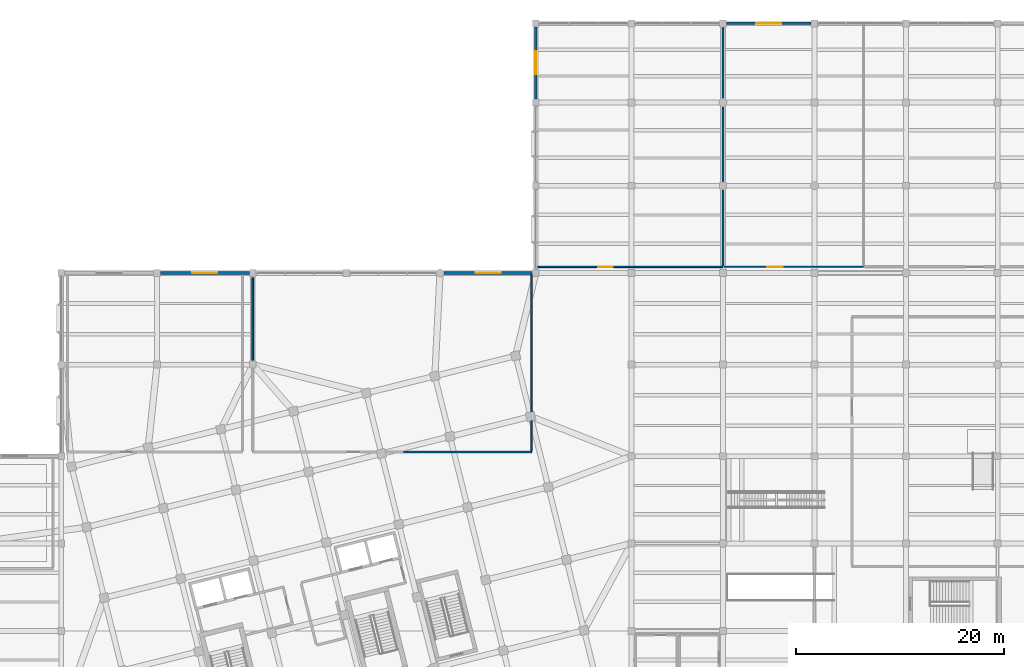
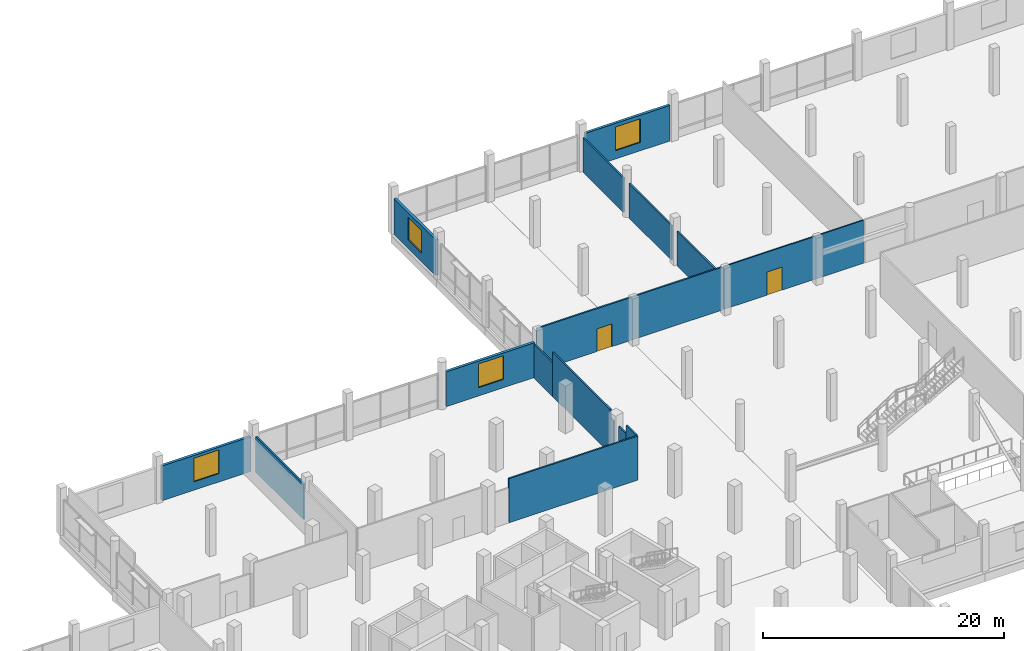
# One storey, part 61 of 71: 16 walls, 4 windows, 2 doors, 6 openings.
"""IFC4 building model written with IfcOpenShell, lengths in metres."""

from ifc_helpers import new_model, si_unit, direction, frame, frame_2d, origin, place, context, subcontext, project, spatial, rectangle, extrude, material, layer, layer_set, type_object, element, fill, save


model = new_model("IFC4")

# Units and contexts
model_context = context("Model", 3, precision=1e-05, world=origin(), true_north=direction((0.0, 1.0)))
body_context = subcontext(model_context, "Body", "Model", "MODEL_VIEW")
ifc_project = project(units=[si_unit("LENGTHUNIT", "METRE"), si_unit("AREAUNIT", "SQUARE_METRE"), si_unit("VOLUMEUNIT", "CUBIC_METRE"), si_unit("PLANEANGLEUNIT", "RADIAN"), si_unit("MASSUNIT", "GRAM", prefix="KILO")], contexts=[model_context])

# Site, building, storey
site_placement = place(None, origin())
site = spatial("IfcSite", under=ifc_project, at=site_placement, CompositionType="ELEMENT")
building_placement = place(site_placement, origin())
building = spatial("IfcBuilding", under=site, at=building_placement, Name="Meriwether Solvik Hall", CompositionType="ELEMENT")
storey_placement = place(building_placement, frame((0.0, 0.0, 5.10009765625)))
storey = spatial("IfcBuildingStorey", under=building, at=storey_placement, Name="L01", CompositionType="ELEMENT", Elevation=5.10009765625)

# Wall, opening, window
ifc_material_1 = material(Name="Terracotta Cladding on Concrete C40/50", Category="masonry")
ifc_layer_1 = layer(ifc_material_1, 0.2548828125)
ifc_layer_set_1 = layer_set([ifc_layer_1], Name="Terracotta Cladding on Concrete C40/50")
wall_type_1 = type_object("IfcWallType", Name="WALL-EXT-255", PredefinedType="SOLIDWALL", material=ifc_layer_set_1)
wall_1_placement = place(storey_placement, frame((68.93701171875, 92.800048828125, 0.0), z_axis=(0.0, 0.0, 1.0), x_axis=(1.0, 0.0, 0.0)))
wall_1 = element("IfcWall", 1, at=wall_1_placement, inside=storey, type_object=wall_type_1, Name="L01 N Wing Facade Wall XK_8_25", PredefinedType="SOLIDWALL", context=body_context, shape_type="SweptSolid", body=[
    extrude(rectangle(XDim=8.52587890625, YDim=0.2548828125, at=frame_2d((4.262939453125, 0.0))), origin(), (0.0, 0.0, 1.0), 3.52001953125),
])
opening_1_placement = place(wall_1_placement, frame((3.06298828125, 0.0, 0.85009765625)))
opening_1 = element("IfcOpeningElement", 2, at=opening_1_placement, cuts=wall_1, Name="Opening WN-105", PredefinedType="OPENING", context=body_context, shape_type="SweptSolid", body=[
    extrude(rectangle(XDim=2.39990234375, YDim=2.39990234375, at=frame_2d((1.199951171875, 1.199951171875))), frame((0.0, 0.139404296875, 0.0), z_axis=(0.0, -1.0, 0.0), x_axis=(1.0, 0.0, 0.0)), (0.0, 0.0, 1.0), 0.27880859375),
])
ifc_material_2 = material(Name="Thermally Broken Anodised Aluminium and Triple Low-E Glass", Category="aluminium")
window_type_1 = type_object("IfcWindowType", Name="WIN-POD-NORTH-240X240", PartitioningType="SINGLE_PANEL", PredefinedType="WINDOW", material=ifc_material_2)
window_1_placement = place(opening_1_placement, origin())
window_1 = element("IfcWindow", 3, at=window_1_placement, inside=storey, type_object=window_type_1, Name="L01 N Window XK_8_25", OverallHeight=2.39990234375, OverallWidth=2.39990234375, PartitioningType="SINGLE_PANEL", PredefinedType="WINDOW", context=body_context, shape_type="SweptSolid", body=[
    extrude(rectangle(XDim=2.39990234375, YDim=2.39990234375, at=frame_2d((1.199951171875, 1.199951171875))), frame((0.0, 0.030029296875, 0.0), z_axis=(0.0, -1.0, 0.0), x_axis=(1.0, 0.0, 0.0)), (0.0, 0.0, 1.0), 0.06005859375),
])
fill(opening_1, window_1)

wall_2_placement = place(storey_placement, frame((96.18701171875, 92.800048828125, 0.0), z_axis=(0.0, 0.0, 1.0), x_axis=(1.0, 0.0, 0.0)))
wall_2 = element("IfcWall", 4, at=wall_2_placement, inside=storey, type_object=wall_type_1, Name="L01 N Wing Facade Wall XK_11_28", PredefinedType="SOLIDWALL", context=body_context, shape_type="SweptSolid", body=[
    extrude(rectangle(XDim=8.47607421875, YDim=0.2548828125, at=frame_2d((4.238037109375, 0.0))), origin(), (0.0, 0.0, 1.0), 3.52001953125),
])
opening_2_placement = place(wall_2_placement, frame((3.0380859375, 0.0, 0.85009765625)))
opening_2 = element("IfcOpeningElement", 5, at=opening_2_placement, cuts=wall_2, Name="Opening WN-105", PredefinedType="OPENING", context=body_context, shape_type="SweptSolid", body=[
    extrude(rectangle(XDim=2.39990234375, YDim=2.39990234375, at=frame_2d((1.199951171875, 1.199951171875))), frame((0.0, 0.139404296875, 0.0), z_axis=(0.0, -1.0, 0.0), x_axis=(1.0, 0.0, 0.0)), (0.0, 0.0, 1.0), 0.27880859375),
])
window_2_placement = place(opening_2_placement, origin())
window_2 = element("IfcWindow", 6, at=window_2_placement, inside=storey, type_object=window_type_1, Name="L01 N Window XK_11_28", OverallHeight=2.39990234375, OverallWidth=2.39990234375, PartitioningType="SINGLE_PANEL", PredefinedType="WINDOW", context=body_context, shape_type="SweptSolid", body=[
    extrude(rectangle(XDim=2.39990234375, YDim=2.39990234375, at=frame_2d((1.199951171875, 1.199951171875))), frame((0.0, 0.030029296875, 0.0), z_axis=(0.0, -1.0, 0.0), x_axis=(1.0, 0.0, 0.0)), (0.0, 0.0, 1.0), 0.06005859375),
])
fill(opening_2, window_2)

wall_3_placement = place(storey_placement, frame((123.3369140625, 116.800048828125, 0.0), z_axis=(0.0, 0.0, 1.0), x_axis=(1.0, 0.0, 0.0)))
wall_3 = element("IfcWall", 7, at=wall_3_placement, inside=storey, type_object=wall_type_1, Name="L01 N Wing Facade Wall XN_14_31", PredefinedType="SOLIDWALL", context=body_context, shape_type="SweptSolid", body=[
    extrude(rectangle(XDim=8.1259765625, YDim=0.2548828125, at=frame_2d((4.06298828125, 0.0))), origin(), (0.0, 0.0, 1.0), 3.60986328125),
])
opening_3_placement = place(wall_3_placement, frame((2.863037109375, 0.0, 0.85009765625)))
opening_3 = element("IfcOpeningElement", 8, at=opening_3_placement, cuts=wall_3, Name="Opening WN-105", PredefinedType="OPENING", context=body_context, shape_type="SweptSolid", body=[
    extrude(rectangle(XDim=2.39990234375, YDim=2.39990234375, at=frame_2d((1.199951171875, 1.199951171875))), frame((0.0, 0.139404296875, 0.0), z_axis=(0.0, -1.0, 0.0), x_axis=(1.0, 0.0, 0.0)), (0.0, 0.0, 1.0), 0.27880859375),
])
window_3_placement = place(opening_3_placement, origin())
window_3 = element("IfcWindow", 9, at=window_3_placement, inside=storey, type_object=window_type_1, Name="L01 N Window XN_14_31", OverallHeight=2.39990234375, OverallWidth=2.39990234375, PartitioningType="SINGLE_PANEL", PredefinedType="WINDOW", context=body_context, shape_type="SweptSolid", body=[
    extrude(rectangle(XDim=2.39990234375, YDim=2.39990234375, at=frame_2d((1.199951171875, 1.199951171875))), frame((0.0, 0.030029296875, 0.0), z_axis=(0.0, -1.0, 0.0), x_axis=(1.0, 0.0, 0.0)), (0.0, 0.0, 1.0), 0.06005859375),
])
fill(opening_3, window_3)

wall_4_placement = place(storey_placement, frame((105.0, 109.537109375, 0.0), z_axis=(0.0, 0.0, 1.0), x_axis=(0.0, 1.0, 0.0)))
wall_4 = element("IfcWall", 10, at=wall_4_placement, inside=storey, type_object=wall_type_1, Name="L01 W Wing Facade Wall Y12_13_48", PredefinedType="SOLIDWALL", context=body_context, shape_type="SweptSolid", body=[
    extrude(rectangle(XDim=6.92578125, YDim=0.2548828125, at=frame_2d((3.462890625, 0.0))), origin(), (0.0, 0.0, 1.0), 3.60986328125),
])
opening_4_placement = place(wall_4_placement, frame((2.363037109375, 0.0, 0.85009765625)))
opening_4 = element("IfcOpeningElement", 11, at=opening_4_placement, cuts=wall_4, Name="Opening WN-175", PredefinedType="OPENING", context=body_context, shape_type="SweptSolid", body=[
    extrude(rectangle(XDim=2.199951171875, YDim=2.300048828125, at=frame_2d((1.10009765625, 1.14990234375))), frame((0.0, 0.139404296875, 0.0), z_axis=(0.0, -1.0, 0.0), x_axis=(1.0, 0.0, 0.0)), (0.0, 0.0, 1.0), 0.27880859375),
])
ifc_material_3 = material(Name="Thermally Broken Anodised Aluminium and Triple Low-E Glass", Category="aluminium")
window_type_2 = type_object("IfcWindowType", Name="WIN-POD-WEST-220X230", PartitioningType="SINGLE_PANEL", PredefinedType="WINDOW", material=ifc_material_3)
window_4_placement = place(opening_4_placement, origin())
window_4 = element("IfcWindow", 12, at=window_4_placement, inside=storey, type_object=window_type_2, Name="L01 W Window Y12_13_48", OverallHeight=2.300048828125, OverallWidth=2.199951171875, PartitioningType="SINGLE_PANEL", PredefinedType="WINDOW", context=body_context, shape_type="SweptSolid", body=[
    extrude(rectangle(XDim=2.199951171875, YDim=2.300048828125, at=frame_2d((1.10009765625, 1.14990234375))), frame((0.0, 0.030029296875, 0.0), z_axis=(0.0, -1.0, 0.0), x_axis=(1.0, 0.0, 0.0)), (0.0, 0.0, 1.0), 0.06005859375),
])
fill(opening_4, window_4)

# Wall, opening, door
ifc_material_4 = material(Name="Gypsum Board Partition", Category="gypsum")
ifc_layer_2 = layer(ifc_material_4, 0.125)
ifc_layer_set_2 = layer_set([ifc_layer_2], Name="Gypsum Board Partition")
wall_type_2 = type_object("IfcWallType", Name="WALL-PART-125", PredefinedType="PARTITIONING", material=ifc_layer_set_2)
wall_5_placement = place(storey_placement, frame((123.1201171875, 93.39990234375, 0.0), z_axis=(0.0, 0.0, 1.0), x_axis=(1.0, 0.0, 0.0)))
wall_5 = element("IfcWall", 13, at=wall_5_placement, inside=storey, type_object=wall_type_2, Name="L01 Interior Partition yth_ment_s", PredefinedType="PARTITIONING", context=body_context, shape_type="SweptSolid", body=[
    extrude(rectangle(XDim=13.3798828125, YDim=0.125, at=frame_2d((6.68994140625, 0.0))), origin(), (0.0, 0.0, 1.0), 4.349853515625),
])
opening_5_placement = place(wall_5_placement, frame((4.153076171875, 0.0, 0.0)))
opening_5 = element("IfcOpeningElement", 14, at=opening_5_placement, cuts=wall_5, Name="Opening D-152", PredefinedType="OPENING", context=body_context, shape_type="SweptSolid", body=[
    extrude(rectangle(XDim=1.449951171875, YDim=2.35009765625, at=frame_2d((0.72509765625, 1.175048828125))), frame((0.0, 0.074462890625, 0.0), z_axis=(0.0, -1.0, 0.0), x_axis=(1.0, 0.0, 0.0)), (0.0, 0.0, 1.0), 0.14892578125),
])
ifc_material_5 = material(Name="Laminated Vision Glass and Solid White Oak Timber", Category="wood")
door_type_1 = type_object("IfcDoorType", Name="DR-CONF-1450", OperationType="DOUBLE_DOOR_SINGLE_SWING", PredefinedType="DOOR", material=ifc_material_5)
door_1_placement = place(opening_5_placement, origin())
door_1 = element("IfcDoor", 15, at=door_1_placement, inside=storey, type_object=door_type_1, Name="Youth Mentorship Office Door", OperationType="DOUBLE_DOOR_SINGLE_SWING", OverallHeight=2.35009765625, OverallWidth=1.449951171875, PredefinedType="DOOR", context=body_context, shape_type="SweptSolid", body=[
    extrude(rectangle(XDim=1.449951171875, YDim=2.35009765625, at=frame_2d((0.72509765625, 1.175048828125))), frame((0.0, 0.02490234375, 0.0), z_axis=(0.0, -1.0, 0.0), x_axis=(1.0, 0.0, 0.0)), (0.0, 0.0, 1.0), 0.050048828125),
])
fill(opening_5, door_1)

# Walls
ifc_material_6 = material(Name="Gypsum Board Partition", Category="gypsum")
ifc_layer_3 = layer(ifc_material_6, 0.14990234375)
ifc_layer_set_3 = layer_set([ifc_layer_3], Name="Gypsum Board Partition")
wall_type_3 = type_object("IfcWallType", Name="WALL-PART-150", PredefinedType="PARTITIONING", material=ifc_layer_set_3)
wall_6_placement = place(storey_placement, frame((92.2685546875, 75.60009765625, 0.0), z_axis=(0.0, 0.0, 1.0), x_axis=(1.0, 0.0, 0.0)))
element("IfcWall", 16, at=wall_6_placement, inside=storey, type_object=wall_type_3, Name="L01 Interior Partition cls_102_s_s3", PredefinedType="PARTITIONING", context=body_context, shape_type="SweptSolid", body=[
    extrude(rectangle(XDim=12.33154296875, YDim=0.14990234375, at=frame_2d((6.165771484375, 0.0))), origin(), (0.0, 0.0, 1.0), 4.469970703125),
])
wall_7_placement = place(storey_placement, frame((104.60009765625, 75.719970703125, 0.0), z_axis=(0.0, 0.0, 1.0), x_axis=(0.0, 1.0, 0.0)))
element("IfcWall", 17, at=wall_7_placement, inside=storey, type_object=wall_type_3, Name="L01 Interior Partition cls_102_e", PredefinedType="PARTITIONING", context=body_context, shape_type="SweptSolid", body=[
    extrude(rectangle(XDim=1.634521484375, YDim=0.14990234375, at=frame_2d((0.8173828125, 0.0))), origin(), (0.0, 0.0, 1.0), 4.469970703125),
])
wall_8_placement = place(storey_placement, frame((104.60009765625, 77.3544921875, 0.0), z_axis=(0.0, 0.0, 1.0), x_axis=(0.0, 1.0, 0.0)))
element("IfcWall", 18, at=wall_8_placement, inside=storey, type_object=wall_type_3, Name="L01 Interior Partition cls_102_e_s2", PredefinedType="PARTITIONING", context=body_context, shape_type="SweptSolid", body=[
    extrude(rectangle(XDim=1.226318359375, YDim=0.14990234375, at=frame_2d((0.61328125, 0.0))), origin(), (0.0, 0.0, 1.0), 3.619873046875),
])
wall_9_placement = place(storey_placement, frame((104.60009765625, 79.44482421875, 0.0), z_axis=(0.0, 0.0, 1.0), x_axis=(0.0, 1.0, 0.0)))
element("IfcWall", 19, at=wall_9_placement, inside=storey, type_object=wall_type_3, Name="L01 Interior Partition cls_102_e_s3", PredefinedType="PARTITIONING", context=body_context, shape_type="SweptSolid", body=[
    extrude(rectangle(XDim=0.578125, YDim=0.14990234375, at=frame_2d((0.2890625, 0.0))), origin(), (0.0, 0.0, 1.0), 3.619873046875),
])
wall_10_placement = place(storey_placement, frame((104.60009765625, 80.02294921875, 0.0), z_axis=(0.0, 0.0, 1.0), x_axis=(0.0, 1.0, 0.0)))
element("IfcWall", 20, at=wall_10_placement, inside=storey, type_object=wall_type_3, Name="L01 Interior Partition cls_102_e_s4", PredefinedType="PARTITIONING", context=body_context, shape_type="SweptSolid", body=[
    extrude(rectangle(XDim=9.546630859375, YDim=0.14990234375, at=frame_2d((4.7734375, 0.0))), origin(), (0.0, 0.0, 1.0), 4.469970703125),
])
wall_11_placement = place(storey_placement, frame((104.60009765625, 89.569580078125, 0.0), z_axis=(0.0, 0.0, 1.0), x_axis=(0.0, 1.0, 0.0)))
element("IfcWall", 21, at=wall_11_placement, inside=storey, type_object=wall_type_3, Name="L01 Interior Partition cls_102_e_s5", PredefinedType="PARTITIONING", context=body_context, shape_type="SweptSolid", body=[
    extrude(rectangle(XDim=3.0498046875, YDim=0.14990234375, at=frame_2d((1.52490234375, 0.0))), origin(), (0.0, 0.0, 1.0), 3.419921875),
])
wall_12_placement = place(storey_placement, frame((77.800048828125, 92.360107421875, 0.0), z_axis=(0.0, 0.0, 1.0), x_axis=(0.0, -1.0, 0.0)))
element("IfcWall", 22, at=wall_12_placement, inside=storey, type_object=wall_type_3, Name="L01 Interior Partition cls_102_w", PredefinedType="PARTITIONING", context=body_context, shape_type="SweptSolid", body=[
    extrude(rectangle(XDim=7.920166015625, YDim=0.14990234375, at=frame_2d((3.9599609375, 0.0))), origin(), (0.0, 0.0, 1.0), 3.619873046875),
])

# Wall, opening, door
wall_13_placement = place(storey_placement, frame((105.199951171875, 93.39990234375, 0.0), z_axis=(0.0, 0.0, 1.0), x_axis=(1.0, 0.0, 0.0)))
wall_13 = element("IfcWall", 23, at=wall_13_placement, inside=storey, type_object=wall_type_3, Name="L01 Interior Partition yth_1_s", PredefinedType="PARTITIONING", context=body_context, shape_type="SweptSolid", body=[
    extrude(rectangle(XDim=17.800048828125, YDim=0.14990234375, at=frame_2d((8.89990234375, 0.0))), origin(), (0.0, 0.0, 1.0), 4.349853515625),
])
opening_6_placement = place(wall_13_placement, frame((5.795654296875, 0.0, 0.0)))
opening_6 = element("IfcOpeningElement", 24, at=opening_6_placement, cuts=wall_13, Name="Opening D-118", PredefinedType="OPENING", context=body_context, shape_type="SweptSolid", body=[
    extrude(rectangle(XDim=1.39990234375, YDim=2.300048828125, at=frame_2d((0.699951171875, 1.14990234375))), frame((0.0, 0.0869140625, 0.0), z_axis=(0.0, -1.0, 0.0), x_axis=(1.0, 0.0, 0.0)), (0.0, 0.0, 1.0), 0.173828125),
])
ifc_material_7 = material(Name="Solid-Core Rift White Oak Timber", Category="wood")
door_type_2 = type_object("IfcDoorType", Name="DR-YTH-1400", OperationType="DOUBLE_DOOR_SINGLE_SWING", PredefinedType="DOOR", material=ifc_material_7)
door_2_placement = place(opening_6_placement, origin())
door_2 = element("IfcDoor", 25, at=door_2_placement, inside=storey, type_object=door_type_2, Name="Youth Room North Door", OperationType="DOUBLE_DOOR_SINGLE_SWING", OverallHeight=2.300048828125, OverallWidth=1.39990234375, PredefinedType="DOOR", context=body_context, shape_type="SweptSolid", body=[
    extrude(rectangle(XDim=1.39990234375, YDim=2.300048828125, at=frame_2d((0.699951171875, 1.14990234375))), frame((0.0, 0.02490234375, 0.0), z_axis=(0.0, -1.0, 0.0), x_axis=(1.0, 0.0, 0.0)), (0.0, 0.0, 1.0), 0.050048828125),
])
fill(opening_6, door_2)

# Walls
wall_14_placement = place(storey_placement, frame((123.0, 93.52001953125, 0.0), z_axis=(0.0, 0.0, 1.0), x_axis=(0.0, 1.0, 0.0)))
element("IfcWall", 26, at=wall_14_placement, inside=storey, type_object=wall_type_3, Name="L01 Interior Partition yth_1_e", PredefinedType="PARTITIONING", context=body_context, shape_type="SweptSolid", body=[
    extrude(rectangle(XDim=7.239990234375, YDim=0.14990234375, at=frame_2d((3.6201171875, 0.0))), origin(), (0.0, 0.0, 1.0), 3.5),
])
wall_15_placement = place(storey_placement, frame((123.0, 101.639892578125, 0.0), z_axis=(0.0, 0.0, 1.0), x_axis=(0.0, 1.0, 0.0)))
element("IfcWall", 27, at=wall_15_placement, inside=storey, type_object=wall_type_3, Name="L01 Interior Partition yth_1_e_s2", PredefinedType="PARTITIONING", context=body_context, shape_type="SweptSolid", body=[
    extrude(rectangle(XDim=7.1201171875, YDim=0.14990234375, at=frame_2d((3.56005859375, 0.0))), origin(), (0.0, 0.0, 1.0), 3.5),
])
wall_16_placement = place(storey_placement, frame((123.0, 109.639892578125, 0.0), z_axis=(0.0, 0.0, 1.0), x_axis=(0.0, 1.0, 0.0)))
element("IfcWall", 28, at=wall_16_placement, inside=storey, type_object=wall_type_3, Name="L01 Interior Partition yth_1_e_s3", PredefinedType="PARTITIONING", context=body_context, shape_type="SweptSolid", body=[
    extrude(rectangle(XDim=6.72021484375, YDim=0.14990234375, at=frame_2d((3.360107421875, 0.0))), origin(), (0.0, 0.0, 1.0), 3.5),
])

save(model, "model.ifc")
